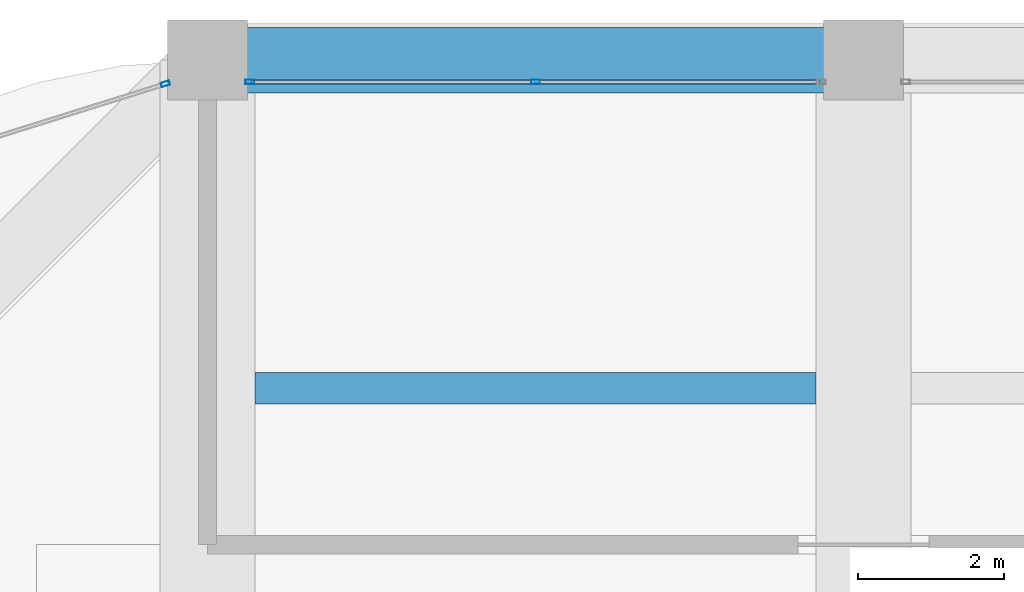
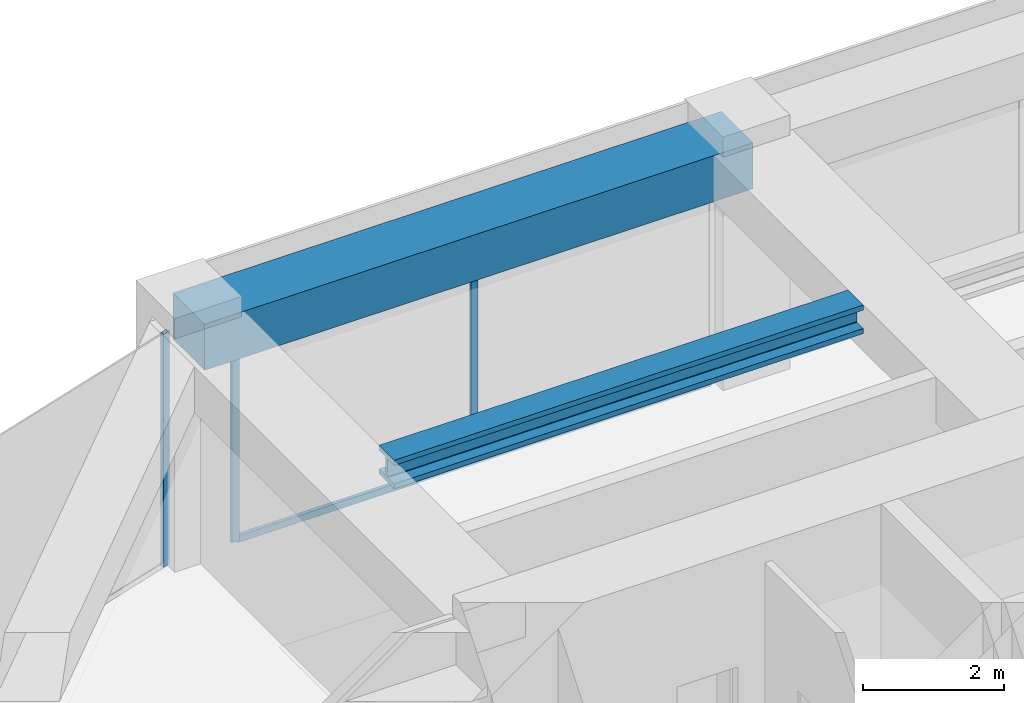
# One storey, part 31 of 44: 4 members, 2 beams, 2 elements without a shape of their own.
"""IFC4 building model written with IfcOpenShell, lengths in metres."""

from ifc_helpers import new_model, si_unit, direction, frame, origin, origin_2d, place, context, subcontext, project, spatial, rectangle, hollow_rectangle, i_section, extrude, material, material_profile, profile_set, type_object, element, aggregate, save


model = new_model("IFC4")

# Units and contexts
model_context = context("Model", 3, precision=1e-05, world=origin(), true_north=direction((0.0, 1.0)))
body_context = subcontext(model_context, "Body", "Model", "MODEL_VIEW")
ifc_project = project(units=[si_unit("LENGTHUNIT", "METRE"), si_unit("AREAUNIT", "SQUARE_METRE"), si_unit("VOLUMEUNIT", "CUBIC_METRE"), si_unit("PLANEANGLEUNIT", "RADIAN"), si_unit("MASSUNIT", "GRAM", prefix="KILO")], contexts=[model_context])

# Site, building, storey
site_placement = place(None, origin())
site = spatial("IfcSite", under=ifc_project, at=site_placement, CompositionType="ELEMENT")
building_placement = place(site_placement, origin())
building = spatial("IfcBuilding", under=site, at=building_placement, Name="Zorevar Civic Tower", CompositionType="ELEMENT")
storey_placement = place(building_placement, frame((0.0, 0.0, 307.39990234375)))
storey = spatial("IfcBuildingStorey", under=building, at=storey_placement, Name="L75", CompositionType="ELEMENT", Elevation=307.39990234375)

# Curtain wall, members
ifc_material_1 = material(Name="Dark grey solar-control glass in black aluminium frame", Category="aluminium")
curtain_wall_type = type_object("IfcCurtainWallType", Name="Curtain wall CW5 top zone", PredefinedType="NOTDEFINED", material=ifc_material_1)
curtain_wall_1_placement = place(storey_placement, origin())
curtain_wall_1 = element("IfcCurtainWall", 1, at=curtain_wall_1_placement, inside=storey, type_object=curtain_wall_type, Name="CW5 L75", PredefinedType="NOTDEFINED")
ifc_material_2 = material(Name="Aluminium, black anodised", Category="aluminium")
ifc_material_profile_1 = material_profile(ifc_material_2, hollow_rectangle(XDim=0.06005859375, YDim=0.1201171875, WallThickness=0.0029296875, at=origin_2d()), Name="AL 120x60x3")
ifc_profile_set_1 = profile_set([ifc_material_profile_1], Name="Aluminium, black anodised")
member_type_1 = type_object("IfcMemberType", Name="CW5 mullion AL 120x60x3", PredefinedType="MULLION", material=ifc_profile_set_1)
member_1_placement = place(storey_placement, frame((18.580078125, 44.699951171875, 0.0), z_axis=(0.0, 0.0, 1.0), x_axis=(0.0, 1.0, 0.0)))
member_1 = element("IfcMember", 2, at=member_1_placement, type_object=member_type_1, Name="CW5 mullion 1", PredefinedType="MULLION", context=body_context, shape_type="SweptSolid", body=[
    extrude(hollow_rectangle(XDim=0.06005859375, YDim=0.1201171875, WallThickness=0.0029296875, at=origin_2d()), origin(), (0.0, 0.0, 1.0), 3.25),
])
member_2_placement = place(storey_placement, frame((22.5, 44.699951171875, 0.06005859375), z_axis=(0.0, 0.0, 1.0), x_axis=(0.0, 1.0, 0.0)))
member_2 = element("IfcMember", 3, at=member_2_placement, type_object=member_type_1, Name="CW5 mullion 2", PredefinedType="MULLION", context=body_context, shape_type="SweptSolid", body=[
    extrude(hollow_rectangle(XDim=0.06005859375, YDim=0.1201171875, WallThickness=0.0029296875, at=origin_2d()), origin(), (0.0, 0.0, 1.0), 3.18994140625),
])

# Curtain wall, member
curtain_wall_2_placement = place(storey_placement, origin())
curtain_wall_2 = element("IfcCurtainWall", 4, at=curtain_wall_2_placement, inside=storey, type_object=curtain_wall_type, Name="CW5 L75", PredefinedType="NOTDEFINED")
member_3_placement = place(storey_placement, frame((17.42138671875, 44.673583984375, 0.0), z_axis=(0.0, 0.0, 1.0), x_axis=(0.299317920238, -0.954153437674, 0.0)))
member_3 = element("IfcMember", 5, at=member_3_placement, type_object=member_type_1, Name="CW5 mullion 1", PredefinedType="MULLION", context=body_context, shape_type="SweptSolid", body=[
    extrude(hollow_rectangle(XDim=0.06005859375, YDim=0.1201171875, WallThickness=0.0029296875, at=origin_2d()), origin(), (0.0, 0.0, 1.0), 4.050048828125),
])
aggregate(curtain_wall_2, [member_3])

# Member
ifc_material_3 = material(Name="Aluminium, black anodised", Category="aluminium")
ifc_material_profile_2 = material_profile(ifc_material_3, hollow_rectangle(XDim=0.06005859375, YDim=0.1201171875, WallThickness=0.0029296875, at=origin_2d()), Name="AL 120x60x3")
ifc_profile_set_2 = profile_set([ifc_material_profile_2], Name="Aluminium, black anodised")
member_type_2 = type_object("IfcMemberType", Name="CW5 transom AL 120x60x3", PredefinedType="USERDEFINED", material=ifc_profile_set_2)
member_4_placement = place(storey_placement, frame((18.610107421875, 44.699951171875, 0.030029296875), z_axis=(1.0, 0.0, 0.0), x_axis=(0.0, 1.0, 0.0)))
member_4 = element("IfcMember", 6, at=member_4_placement, type_object=member_type_2, Name="CW5 sill transom", ObjectType="TRANSOM", PredefinedType="USERDEFINED", context=body_context, shape_type="SweptSolid", body=[
    extrude(hollow_rectangle(XDim=0.06005859375, YDim=0.1201171875, WallThickness=0.0029296875, at=origin_2d()), origin(), (0.0, 0.0, 1.0), 7.77978515625),
])

aggregate(curtain_wall_1, [member_1, member_2, member_4])

# Beams
ifc_material_4 = material(Name="Steel S460M (HISTAR 460)", Category="steel")
ifc_material_profile_3 = material_profile(ifc_material_4, i_section(OverallWidth=0.431884765625, OverallDepth=0.498046875, WebThickness=0.0556640625, FlangeThickness=0.0888671875, FilletRadius=0.014892578125, at=origin_2d()), Name="HD 400x744")
ifc_profile_set_3 = profile_set([ifc_material_profile_3], Name="Steel S460M (HISTAR 460)")
beam_type_1 = type_object("IfcBeamType", Name="Core bay beam HD 400x744", PredefinedType="BEAM", material=ifc_profile_set_3)
beam_1_placement = place(storey_placement, frame((18.64990234375, 40.5, 3.801025390625), z_axis=(1.0, 0.0, 0.0), x_axis=(0.0, 1.0, 0.0)))
element("IfcBeam", 7, at=beam_1_placement, inside=storey, type_object=beam_type_1, Name="Secondary beam RF", PredefinedType="BEAM", context=body_context, shape_type="SweptSolid", body=[
    extrude(i_section(OverallWidth=0.431884765625, OverallDepth=0.498046875, WebThickness=0.0556640625, FlangeThickness=0.0888671875, FilletRadius=0.014892578125, at=origin_2d()), origin(), (0.0, 0.0, 1.0), 7.7001953125),
])
ifc_material_5 = material(Name="Concrete C50/60", Category="concrete")
ifc_material_profile_4 = material_profile(ifc_material_5, rectangle(XDim=0.89990234375, YDim=0.800048828125, at=origin_2d()), Name="RC 900x800")
ifc_profile_set_4 = profile_set([ifc_material_profile_4], Name="Concrete C50/60")
beam_type_2 = type_object("IfcBeamType", Name="Edge beam RC 900x800", PredefinedType="SPANDREL", material=ifc_profile_set_4)
beam_2_placement = place(storey_placement, frame((18.0, 45.0, 3.650146484375), z_axis=(1.0, 0.0, 0.0), x_axis=(0.0, 1.0, 0.0)))
element("IfcBeam", 8, at=beam_2_placement, inside=storey, type_object=beam_type_2, Name="Edge beam RF", PredefinedType="SPANDREL", context=body_context, shape_type="SweptSolid", body=[
    extrude(rectangle(XDim=0.89990234375, YDim=0.800048828125, at=origin_2d()), origin(), (0.0, 0.0, 1.0), 9.0),
])

save(model, "model.ifc")
